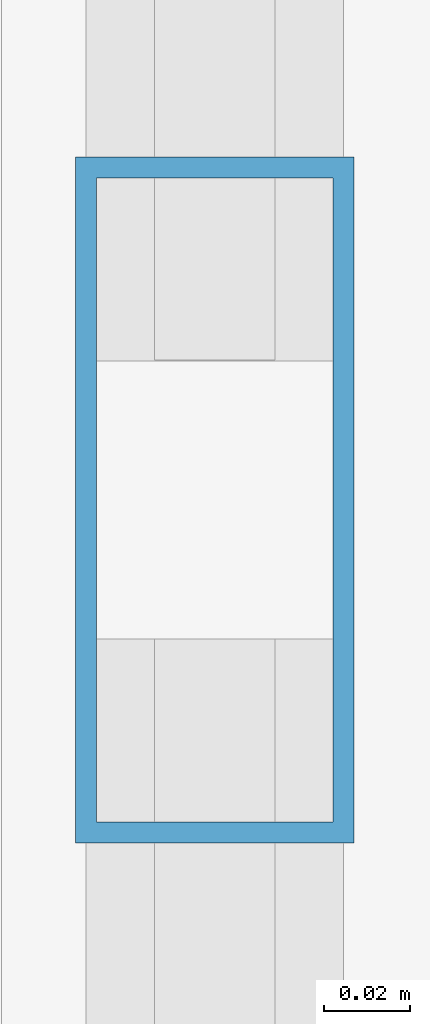
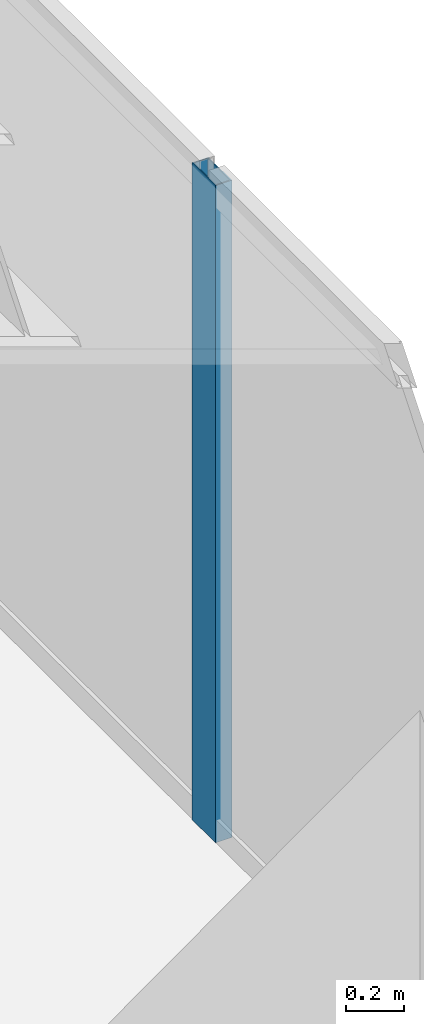
# One storey, part 11 of 27: 1 member, 1 element without a shape of its own.
"""IFC4 building model written with IfcOpenShell, lengths in metres."""

from ifc_helpers import new_model, si_unit, direction, frame, origin, origin_2d, place, context, subcontext, project, spatial, hollow_rectangle, extrude, source, transform, mapped, material, layer, layer_set, material_profile, profile_set, type_object, element, aggregate, save


model = new_model("IFC4")

# Units and contexts
model_context = context("Model", 3, precision=1e-05, world=origin(), true_north=direction((0.0, 1.0)))
body_context = subcontext(model_context, "Body", "Model", "MODEL_VIEW")
ifc_project = project(units=[si_unit("LENGTHUNIT", "METRE"), si_unit("AREAUNIT", "SQUARE_METRE"), si_unit("VOLUMEUNIT", "CUBIC_METRE"), si_unit("PLANEANGLEUNIT", "RADIAN"), si_unit("MASSUNIT", "GRAM", prefix="KILO")], contexts=[model_context])

# Site, building, storey
site_placement = place(None, origin())
site = spatial("IfcSite", under=ifc_project, at=site_placement, CompositionType="ELEMENT")
building_placement = place(site_placement, origin())
building = spatial("IfcBuilding", under=site, at=building_placement, Name="Sumidabori Civic Tower", CompositionType="ELEMENT")
storey_placement = place(building_placement, frame((0.0, 0.0, 156.800048828125)))
storey = spatial("IfcBuildingStorey", under=building, at=storey_placement, Name="L40", CompositionType="ELEMENT", Elevation=156.800048828125)

# Curtain wall, member
ifc_material = material(Name="Anodised Bronze Aluminium AW-6063-T6", Category="aluminium")
ifc_layer = layer(ifc_material, 0.179931640625, Name="Anodised Bronze Aluminium AW-6063-T6")
ifc_layer_set = layer_set([ifc_layer], Name="Anodised Bronze Aluminium AW-6063-T6")
curtain_wall_type = type_object("IfcCurtainWallType", Name="CW-SYS-3", PredefinedType="NOTDEFINED", material=ifc_layer_set)
curtain_wall_placement = place(storey_placement, origin())
curtain_wall = element("IfcCurtainWall", 1, at=curtain_wall_placement, inside=storey, type_object=curtain_wall_type, Name="Curtain Wall CW:L40:R04", PredefinedType="NOTDEFINED")
ifc_material_profile = material_profile(ifc_material, hollow_rectangle(XDim=0.06494140625, YDim=0.159912109375, WallThickness=0.0048828125, at=origin_2d()), Name="ALU MULLION 160x65")
ifc_profile_set = profile_set([ifc_material_profile], Name="Anodised Bronze Aluminium AW-6063-T6")
member_type = type_object("IfcMemberType", Name="CW-MUL-160", PredefinedType="MULLION", material=ifc_profile_set)
shared_shape = source(origin(), body_context, "Body", "SweptSolid", [
    extrude(hollow_rectangle(XDim=0.06494140625, YDim=0.159912109375, WallThickness=0.0048828125, at=origin_2d()), origin(), (0.0, 0.0, 1.0), 2.760009765625),
])
member_placement = place(storey_placement, frame((23.8798828125, -8.0849609375, 0.0), z_axis=(0.0, 0.0, 1.0), x_axis=(-1.0, 0.0, 0.0)))
member = element("IfcMember", 2, at=member_placement, type_object=member_type, Name="CW-3 mullion 2", PredefinedType="MULLION", context=body_context, shape_type="MappedRepresentation", body=[
    mapped(shared_shape, transform((0.0, 0.0, 0.0), x_axis=(1.0, 0.0, 0.0), y_axis=(0.0, 1.0, 0.0), z_axis=(0.0, 0.0, 1.0), scale=1.0)),
])
aggregate(curtain_wall, [member])

save(model, "model.ifc")
